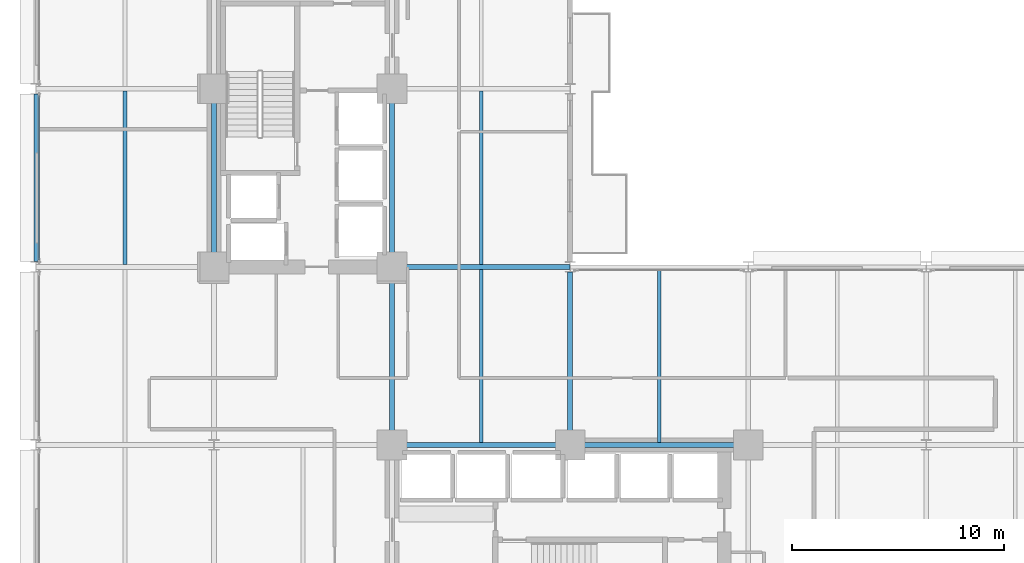
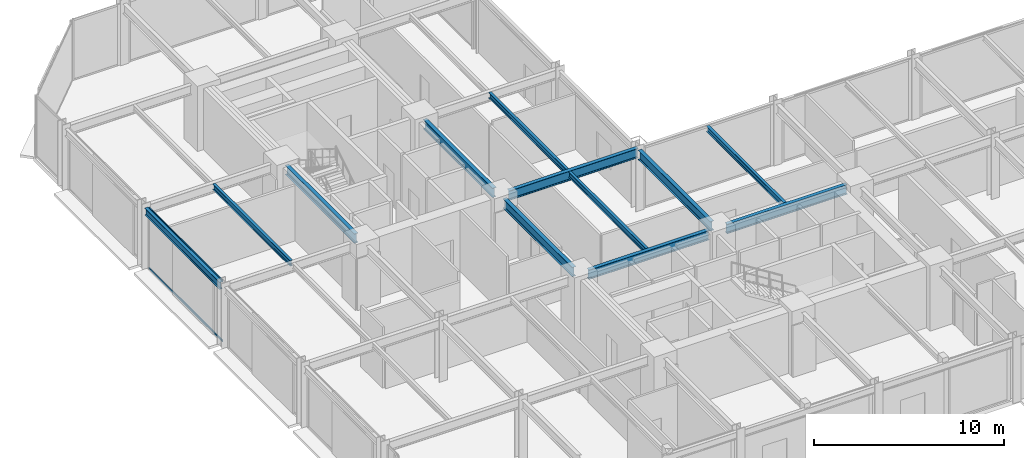
# One storey, part 7 of 25: 12 beams, 2 members, 1 element without a shape of its own.
"""IFC4 building model written with IfcOpenShell, lengths in metres."""

from ifc_helpers import new_model, si_unit, direction, frame, origin, origin_2d, place, context, subcontext, project, spatial, hollow_rectangle, i_section, extrude, material, layer, layer_set, material_profile, profile_set, type_object, element, aggregate, save


model = new_model("IFC4")

# Units and contexts
model_context = context("Model", 3, precision=1e-05, world=origin(), true_north=direction((0.0, 1.0)))
body_context = subcontext(model_context, "Body", "Model", "MODEL_VIEW")
ifc_project = project(units=[si_unit("LENGTHUNIT", "METRE"), si_unit("AREAUNIT", "SQUARE_METRE"), si_unit("VOLUMEUNIT", "CUBIC_METRE"), si_unit("PLANEANGLEUNIT", "RADIAN"), si_unit("MASSUNIT", "GRAM", prefix="KILO")], contexts=[model_context])

# Site, building, storey
site_placement = place(None, origin())
site = spatial("IfcSite", under=ifc_project, at=site_placement, CompositionType="ELEMENT")
building_placement = place(site_placement, origin())
building = spatial("IfcBuilding", under=site, at=building_placement, Name="Nerrivon Quay Data Exchange", CompositionType="ELEMENT")
storey_placement = place(building_placement, frame((0.0, 0.0, 29.0)))
storey = spatial("IfcBuildingStorey", under=building, at=storey_placement, Name="L06", CompositionType="ELEMENT", Elevation=29.0)

# Beams
ifc_material_1 = material(Name="Steel Grade 350", Category="steel")
ifc_material_profile_1 = material_profile(ifc_material_1, i_section(OverallWidth=0.22900390625, OverallDepth=0.612060546875, WebThickness=0.011962890625, FlangeThickness=0.01953125, FilletRadius=0.013916015625, at=origin_2d()), Name="610UB125")
ifc_profile_set_1 = profile_set([ifc_material_profile_1], Name="Steel Grade 350")
beam_type_1 = type_object("IfcBeamType", Name="BM-G1-610UB125", PredefinedType="BEAM", material=ifc_profile_set_1)
beam_1_placement = place(storey_placement, frame((17.340087890625, 16.800048828125, 3.618896484375), z_axis=(1.0, 0.0, 0.0), x_axis=(0.0, 1.0, 0.0)))
element("IfcBeam", 1, at=beam_1_placement, inside=storey, type_object=beam_type_1, Name="L06 EW Girder Y=16.8 (16.8..25.2)", PredefinedType="BEAM", context=body_context, shape_type="SweptSolid", body=[
    extrude(i_section(OverallWidth=0.22900390625, OverallDepth=0.612060546875, WebThickness=0.011962890625, FlangeThickness=0.01953125, FilletRadius=0.013916015625, at=origin_2d()), origin(), (0.0, 0.0, 1.0), 7.31982421875),
])
beam_2_placement = place(storey_placement, frame((25.739990234375, 16.800048828125, 3.618896484375), z_axis=(1.0, 0.0, 0.0), x_axis=(0.0, 1.0, 0.0)))
element("IfcBeam", 2, at=beam_2_placement, inside=storey, type_object=beam_type_1, Name="L06 EW Girder Y=16.8 (25.2..33.6)", PredefinedType="BEAM", context=body_context, shape_type="SweptSolid", body=[
    extrude(i_section(OverallWidth=0.22900390625, OverallDepth=0.612060546875, WebThickness=0.011962890625, FlangeThickness=0.01953125, FilletRadius=0.013916015625, at=origin_2d()), origin(), (0.0, 0.0, 1.0), 7.320068359375),
])
beam_3_placement = place(storey_placement, frame((17.340087890625, 25.199951171875, 3.618896484375), z_axis=(1.0, 0.0, 0.0), x_axis=(0.0, 1.0, 0.0)))
element("IfcBeam", 3, at=beam_3_placement, inside=storey, type_object=beam_type_1, Name="L06 EW Girder Y=25.2 (16.8..25.2)", PredefinedType="BEAM", context=body_context, shape_type="SweptSolid", body=[
    extrude(i_section(OverallWidth=0.22900390625, OverallDepth=0.612060546875, WebThickness=0.011962890625, FlangeThickness=0.01953125, FilletRadius=0.013916015625, at=origin_2d()), origin(), (0.0, 0.0, 1.0), 7.845947265625),
])
ifc_material_profile_2 = material_profile(ifc_material_1, i_section(OverallWidth=0.22802734375, OverallDepth=0.60205078125, WebThickness=0.010498046875, FlangeThickness=0.014892578125, FilletRadius=0.013916015625, at=origin_2d()), Name="610UB101")
ifc_profile_set_2 = profile_set([ifc_material_profile_2], Name="Steel Grade 350")
beam_type_2 = type_object("IfcBeamType", Name="BM-G2-610UB101", PredefinedType="BEAM", material=ifc_profile_set_2)
beam_4_placement = place(storey_placement, frame((8.39990234375, 25.739990234375, 3.6240234375), z_axis=(0.0, 1.0, 0.0), x_axis=(-1.0, 0.0, 0.0)))
element("IfcBeam", 4, at=beam_4_placement, inside=storey, type_object=beam_type_2, Name="L06 NS Girder X=8.4 (25.2..33.6)", PredefinedType="BEAM", context=body_context, shape_type="SweptSolid", body=[
    extrude(i_section(OverallWidth=0.22802734375, OverallDepth=0.60205078125, WebThickness=0.010498046875, FlangeThickness=0.014892578125, FilletRadius=0.013916015625, at=origin_2d()), origin(), (0.0, 0.0, 1.0), 7.320068359375),
])
beam_5_placement = place(storey_placement, frame((16.800048828125, 17.340087890625, 3.6240234375), z_axis=(0.0, 1.0, 0.0), x_axis=(-1.0, 0.0, 0.0)))
element("IfcBeam", 5, at=beam_5_placement, inside=storey, type_object=beam_type_2, Name="L06 NS Girder X=16.8 (16.8..25.2)", PredefinedType="BEAM", context=body_context, shape_type="SweptSolid", body=[
    extrude(i_section(OverallWidth=0.22802734375, OverallDepth=0.60205078125, WebThickness=0.010498046875, FlangeThickness=0.014892578125, FilletRadius=0.013916015625, at=origin_2d()), origin(), (0.0, 0.0, 1.0), 7.31982421875),
])
beam_6_placement = place(storey_placement, frame((16.800048828125, 25.739990234375, 3.6240234375), z_axis=(0.0, 1.0, 0.0), x_axis=(-1.0, 0.0, 0.0)))
element("IfcBeam", 6, at=beam_6_placement, inside=storey, type_object=beam_type_2, Name="L06 NS Girder X=16.8 (25.2..33.6)", PredefinedType="BEAM", context=body_context, shape_type="SweptSolid", body=[
    extrude(i_section(OverallWidth=0.22802734375, OverallDepth=0.60205078125, WebThickness=0.010498046875, FlangeThickness=0.014892578125, FilletRadius=0.013916015625, at=origin_2d()), origin(), (0.0, 0.0, 1.0), 7.320068359375),
])
beam_7_placement = place(storey_placement, frame((25.199951171875, 17.340087890625, 3.6240234375), z_axis=(0.0, 1.0, 0.0), x_axis=(-1.0, 0.0, 0.0)))
element("IfcBeam", 7, at=beam_7_placement, inside=storey, type_object=beam_type_2, Name="L06 NS Girder X=25.2 (16.8..25.2)", PredefinedType="BEAM", context=body_context, shape_type="SweptSolid", body=[
    extrude(i_section(OverallWidth=0.22802734375, OverallDepth=0.60205078125, WebThickness=0.010498046875, FlangeThickness=0.014892578125, FilletRadius=0.013916015625, at=origin_2d()), origin(), (0.0, 0.0, 1.0), 7.60986328125),
])
ifc_material_profile_3 = material_profile(ifc_material_1, i_section(OverallWidth=0.172119140625, OverallDepth=0.35888671875, WebThickness=0.008056640625, FlangeThickness=0.012939453125, FilletRadius=0.011474609375, at=origin_2d()), Name="360UB56.7")
ifc_profile_set_3 = profile_set([ifc_material_profile_3], Name="Steel Grade 350")
beam_type_3 = type_object("IfcBeamType", Name="BM-J3-360UB57", PredefinedType="JOIST", material=ifc_profile_set_3)
beam_8_placement = place(storey_placement, frame((4.199951171875, 25.314453125, 3.74560546875), z_axis=(0.0, 1.0, 0.0), x_axis=(-1.0, 0.0, 0.0)))
element("IfcBeam", 8, at=beam_8_placement, inside=storey, type_object=beam_type_3, Name="L06 Secondary Joist X=4.2 (25.2..33.6)", PredefinedType="JOIST", context=body_context, shape_type="SweptSolid", body=[
    extrude(i_section(OverallWidth=0.172119140625, OverallDepth=0.35888671875, WebThickness=0.008056640625, FlangeThickness=0.012939453125, FilletRadius=0.011474609375, at=origin_2d()), origin(), (0.0, 0.0, 1.0), 8.171142578125),
])
beam_9_placement = place(storey_placement, frame((21.0, 16.91455078125, 3.74560546875), z_axis=(0.0, 1.0, 0.0), x_axis=(-1.0, 0.0, 0.0)))
element("IfcBeam", 9, at=beam_9_placement, inside=storey, type_object=beam_type_3, Name="L06 Secondary Joist X=21.0 (16.8..25.2)", PredefinedType="JOIST", context=body_context, shape_type="SweptSolid", body=[
    extrude(i_section(OverallWidth=0.172119140625, OverallDepth=0.35888671875, WebThickness=0.008056640625, FlangeThickness=0.012939453125, FilletRadius=0.011474609375, at=origin_2d()), origin(), (0.0, 0.0, 1.0), 8.1708984375),
])
beam_10_placement = place(storey_placement, frame((21.0, 25.314453125, 3.74560546875), z_axis=(0.0, 1.0, 0.0), x_axis=(-1.0, 0.0, 0.0)))
element("IfcBeam", 10, at=beam_10_placement, inside=storey, type_object=beam_type_3, Name="L06 Secondary Joist X=21.0 (25.2..33.6)", PredefinedType="JOIST", context=body_context, shape_type="SweptSolid", body=[
    extrude(i_section(OverallWidth=0.172119140625, OverallDepth=0.35888671875, WebThickness=0.008056640625, FlangeThickness=0.012939453125, FilletRadius=0.011474609375, at=origin_2d()), origin(), (0.0, 0.0, 1.0), 8.171142578125),
])
beam_11_placement = place(storey_placement, frame((29.39990234375, 16.91455078125, 3.74560546875), z_axis=(0.0, 1.0, 0.0), x_axis=(-1.0, 0.0, 0.0)))
element("IfcBeam", 11, at=beam_11_placement, inside=storey, type_object=beam_type_3, Name="L06 Secondary Joist X=29.4 (16.8..25.2)", PredefinedType="JOIST", context=body_context, shape_type="SweptSolid", body=[
    extrude(i_section(OverallWidth=0.172119140625, OverallDepth=0.35888671875, WebThickness=0.008056640625, FlangeThickness=0.012939453125, FilletRadius=0.011474609375, at=origin_2d()), origin(), (0.0, 0.0, 1.0), 8.1904296875),
])
ifc_material_profile_4 = material_profile(ifc_material_1, i_section(OverallWidth=0.18994140625, OverallDepth=0.4541015625, WebThickness=0.008544921875, FlangeThickness=0.0126953125, FilletRadius=0.011474609375, at=origin_2d()), Name="460UB67.1")
ifc_profile_set_4 = profile_set([ifc_material_profile_4], Name="Steel Grade 350")
beam_type_4 = type_object("IfcBeamType", Name="BM-SP1-460UB67", PredefinedType="SPANDREL", material=ifc_profile_set_4)
beam_12_placement = place(storey_placement, frame((0.0, 25.449951171875, 3.697998046875), z_axis=(0.0, 1.0, 0.0), x_axis=(-1.0, 0.0, 0.0)))
element("IfcBeam", 12, at=beam_12_placement, inside=storey, type_object=beam_type_4, Name="L06 NS Girder X=0.0 (25.2..33.6)", PredefinedType="SPANDREL", context=body_context, shape_type="SweptSolid", body=[
    extrude(i_section(OverallWidth=0.18994140625, OverallDepth=0.4541015625, WebThickness=0.008544921875, FlangeThickness=0.0126953125, FilletRadius=0.011474609375, at=origin_2d()), origin(), (0.0, 0.0, 1.0), 7.900146484375),
])

# Curtain wall, members
ifc_material_2 = material(Name="Anodised aluminium 6063-T6", Category="aluminium")
ifc_layer = layer(ifc_material_2, 0.219970703125)
ifc_layer_set = layer_set([ifc_layer], Name="Anodised aluminium 6063-T6")
curtain_wall_type = type_object("IfcCurtainWallType", Name="CW-SYS-01", PredefinedType="NOTDEFINED", material=ifc_layer_set)
curtain_wall_placement = place(storey_placement, origin())
curtain_wall = element("IfcCurtainWall", 13, at=curtain_wall_placement, inside=storey, type_object=curtain_wall_type, Name="L06 Unitised Curtain Wall 16", PredefinedType="NOTDEFINED")
ifc_material_profile_5 = material_profile(ifc_material_2, hollow_rectangle(XDim=0.06005859375, YDim=0.1201171875, WallThickness=0.003173828125, at=origin_2d()), Name="ALU-TRAN-120x60")
ifc_profile_set_5 = profile_set([ifc_material_profile_5], Name="Anodised aluminium 6063-T6")
member_type = type_object("IfcMemberType", Name="CWT-120x60", PredefinedType="USERDEFINED", material=ifc_profile_set_5)
member_1_placement = place(storey_placement, frame((0.139892578125, 25.52490234375, 0.032470703125), z_axis=(0.0, 1.0, 0.0), x_axis=(-1.0, 0.0, 0.0)))
member_1 = element("IfcMember", 14, at=member_1_placement, type_object=member_type, Name="CW01 transom 1.1", ObjectType="TRANSOM", PredefinedType="USERDEFINED", context=body_context, shape_type="SweptSolid", body=[
    extrude(hollow_rectangle(XDim=0.06005859375, YDim=0.1201171875, WallThickness=0.003173828125, at=origin_2d()), origin(), (0.0, 0.0, 1.0), 7.75),
])
member_2_placement = place(storey_placement, frame((0.139892578125, 25.52490234375, 3.892578125), z_axis=(0.0, 1.0, 0.0), x_axis=(-1.0, 0.0, 0.0)))
member_2 = element("IfcMember", 15, at=member_2_placement, type_object=member_type, Name="CW01 transom 1.2", ObjectType="TRANSOM", PredefinedType="USERDEFINED", context=body_context, shape_type="SweptSolid", body=[
    extrude(hollow_rectangle(XDim=0.06005859375, YDim=0.1201171875, WallThickness=0.003173828125, at=origin_2d()), origin(), (0.0, 0.0, 1.0), 7.75),
])
aggregate(curtain_wall, [member_1, member_2])

save(model, "model.ifc")
